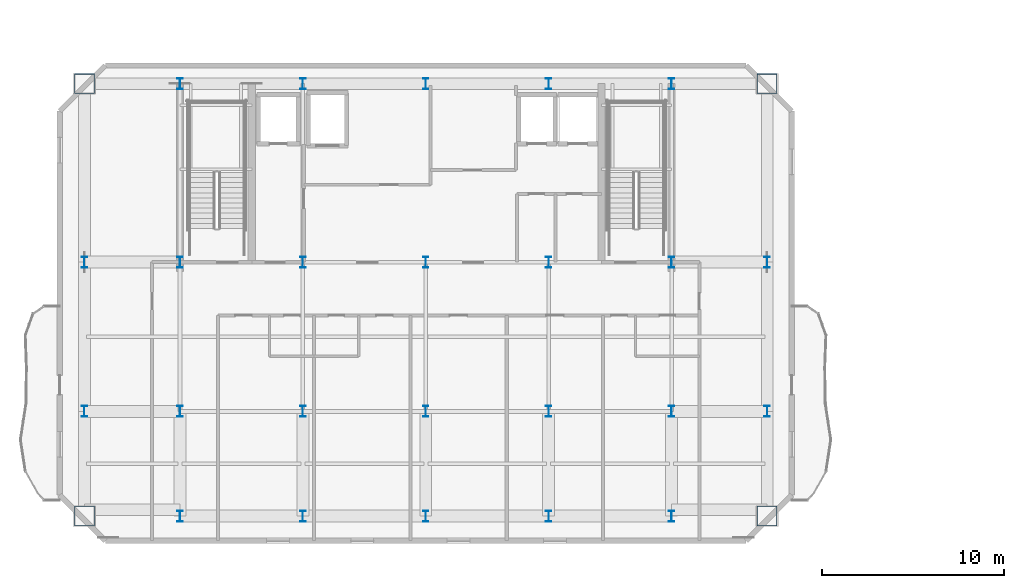
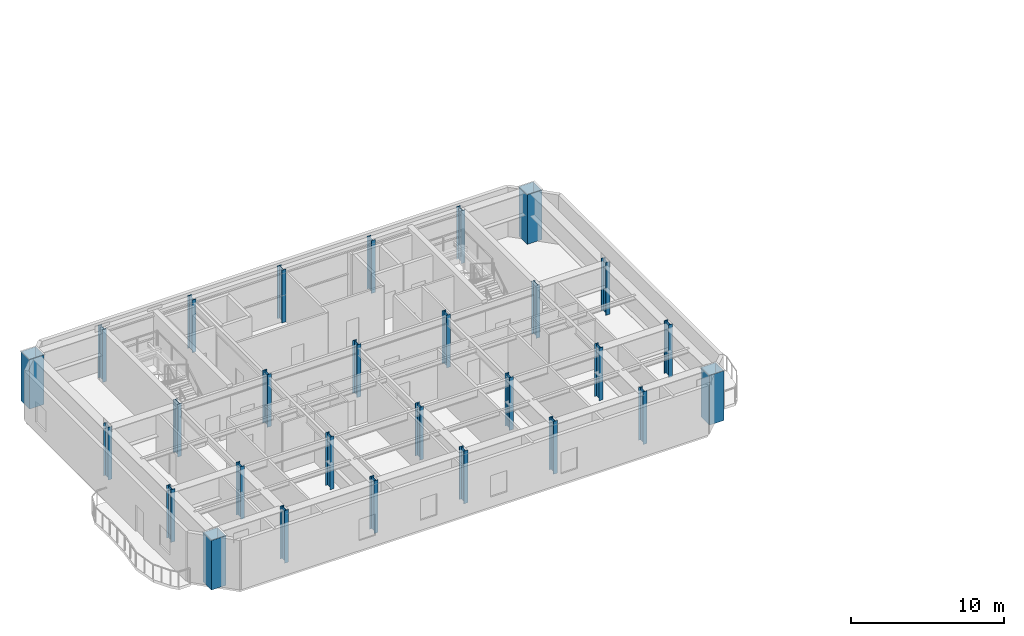
# One storey, part 1 of 16: 28 columns.
"""IFC4 building model written with IfcOpenShell, lengths in metres."""

from ifc_helpers import new_model, si_unit, direction, frame, origin, origin_2d, place, context, subcontext, project, spatial, hollow_rectangle, i_section, extrude, material, material_profile, profile_set, type_object, element, save


model = new_model("IFC4")

# Units and contexts
model_context = context("Model", 3, precision=1e-05, world=origin(), true_north=direction((0.0, 1.0)))
body_context = subcontext(model_context, "Body", "Model", "MODEL_VIEW")
ifc_project = project(units=[si_unit("LENGTHUNIT", "METRE"), si_unit("AREAUNIT", "SQUARE_METRE"), si_unit("VOLUMEUNIT", "CUBIC_METRE"), si_unit("PLANEANGLEUNIT", "RADIAN"), si_unit("MASSUNIT", "GRAM", prefix="KILO")], contexts=[model_context])

# Site, building, storey
site_placement = place(None, origin())
site = spatial("IfcSite", under=ifc_project, at=site_placement, CompositionType="ELEMENT")
building_placement = place(site_placement, origin())
building = spatial("IfcBuilding", under=site, at=building_placement, Name="Haevon Station Towers", CompositionType="ELEMENT")
storey_placement = place(building_placement, frame((0.0, 0.0, 235.199951171875)))
storey = spatial("IfcBuildingStorey", under=building, at=storey_placement, Name="L65", CompositionType="ELEMENT", Elevation=235.199951171875)

# Columns
ifc_material_1 = material(Name="Steel S460", Category="steel")
ifc_material_profile_1 = material_profile(ifc_material_1, hollow_rectangle(XDim=1.10009765625, YDim=1.10009765625, WallThickness=0.031982421875, at=origin_2d()), Name="BOX-1100x1100x32")
ifc_profile_set_1 = profile_set([ifc_material_profile_1], Name="Steel S460")
column_type_1 = type_object("IfcColumnType", Name="COL-MC5", PredefinedType="COLUMN", material=ifc_profile_set_1)
for number, where, z_axis, x_axis, name in (
    (1, (18.75, 24.25, 0.0), (0.0, 0.0, 1.0), (1.0, 0.0, 0.0), "COL-T1-L65-01-01"),
    (2, (18.75, 48.0, 0.0), (0.0, 0.0, 1.0), (1.0, 0.0, 0.0), "COL-T1-L65-01-04"),
    (3, (56.25, 24.25, 0.0), (0.0, 0.0, 1.0), (1.0, 0.0, 0.0), "COL-T1-L65-07-01"),
    (4, (56.25, 48.0, 0.0), (0.0, 0.0, 1.0), (1.0, 0.0, 0.0), "COL-T1-L65-07-04"),
):
    element("IfcColumn", number, at=place(storey_placement, frame(where, z_axis=z_axis, x_axis=x_axis)), inside=storey, type_object=column_type_1, Name=name, PredefinedType="COLUMN", context=body_context, shape_type="SweptSolid", body=[
        extrude(hollow_rectangle(XDim=1.10009765625, YDim=1.10009765625, WallThickness=0.031982421875, at=origin_2d()), origin(), (0.0, 0.0, 1.0), 3.949951171875),
    ])
ifc_material_2 = material(Name="Steel S355", Category="steel")
ifc_material_profile_2 = material_profile(ifc_material_2, i_section(OverallWidth=0.300048828125, OverallDepth=0.60009765625, WebThickness=0.013916015625, FlangeThickness=0.02490234375, at=origin_2d()), Name="H-600x300x14x25")
ifc_profile_set_2 = profile_set([ifc_material_profile_2], Name="Steel S355")
column_type_2 = type_object("IfcColumnType", Name="COL-TW4", PredefinedType="COLUMN", material=ifc_profile_set_2)
for number, where, z_axis, x_axis, name in (
    (5, (18.75, 30.0, 0.0), (0.0, 0.0, 1.0), (1.0, 0.0, 0.0), "COL-T1-L65-01-02"),
    (6, (18.75, 38.199951171875, 0.0), (0.0, 0.0, 1.0), (1.0, 0.0, 0.0), "COL-T1-L65-01-03"),
    (7, (24.0, 24.25, 0.0), (0.0, 0.0, 1.0), (1.0, 0.0, 0.0), "COL-T1-L65-02-01"),
    (8, (24.0, 30.0, 0.0), (0.0, 0.0, 1.0), (1.0, 0.0, 0.0), "COL-T1-L65-02-02"),
    (9, (24.0, 38.199951171875, 0.0), (0.0, 0.0, 1.0), (1.0, 0.0, 0.0), "COL-T1-L65-02-03"),
    (10, (24.0, 48.0, 0.0), (0.0, 0.0, 1.0), (1.0, 0.0, 0.0), "COL-T1-L65-02-04"),
    (11, (30.75, 24.25, 0.0), (0.0, 0.0, 1.0), (1.0, 0.0, 0.0), "COL-T1-L65-03-01"),
    (12, (30.75, 30.0, 0.0), (0.0, 0.0, 1.0), (1.0, 0.0, 0.0), "COL-T1-L65-03-02"),
    (13, (30.75, 38.199951171875, 0.0), (0.0, 0.0, 1.0), (1.0, 0.0, 0.0), "COL-T1-L65-03-03"),
    (14, (30.75, 48.0, 0.0), (0.0, 0.0, 1.0), (1.0, 0.0, 0.0), "COL-T1-L65-03-04"),
    (15, (37.5, 24.25, 0.0), (0.0, 0.0, 1.0), (1.0, 0.0, 0.0), "COL-T1-L65-04-01"),
    (16, (37.5, 30.0, 0.0), (0.0, 0.0, 1.0), (1.0, 0.0, 0.0), "COL-T1-L65-04-02"),
    (17, (37.5, 38.199951171875, 0.0), (0.0, 0.0, 1.0), (1.0, 0.0, 0.0), "COL-T1-L65-04-03"),
    (18, (37.5, 48.0, 0.0), (0.0, 0.0, 1.0), (1.0, 0.0, 0.0), "COL-T1-L65-04-04"),
    (19, (44.25, 24.25, 0.0), (0.0, 0.0, 1.0), (1.0, 0.0, 0.0), "COL-T1-L65-05-01"),
    (20, (44.25, 30.0, 0.0), (0.0, 0.0, 1.0), (1.0, 0.0, 0.0), "COL-T1-L65-05-02"),
    (21, (44.25, 38.199951171875, 0.0), (0.0, 0.0, 1.0), (1.0, 0.0, 0.0), "COL-T1-L65-05-03"),
    (22, (44.25, 48.0, 0.0), (0.0, 0.0, 1.0), (1.0, 0.0, 0.0), "COL-T1-L65-05-04"),
    (23, (51.0, 24.25, 0.0), (0.0, 0.0, 1.0), (1.0, 0.0, 0.0), "COL-T1-L65-06-01"),
    (24, (51.0, 30.0, 0.0), (0.0, 0.0, 1.0), (1.0, 0.0, 0.0), "COL-T1-L65-06-02"),
    (25, (51.0, 38.199951171875, 0.0), (0.0, 0.0, 1.0), (1.0, 0.0, 0.0), "COL-T1-L65-06-03"),
    (26, (51.0, 48.0, 0.0), (0.0, 0.0, 1.0), (1.0, 0.0, 0.0), "COL-T1-L65-06-04"),
    (27, (56.25, 30.0, 0.0), (0.0, 0.0, 1.0), (1.0, 0.0, 0.0), "COL-T1-L65-07-02"),
    (28, (56.25, 38.199951171875, 0.0), (0.0, 0.0, 1.0), (1.0, 0.0, 0.0), "COL-T1-L65-07-03"),
):
    element("IfcColumn", number, at=place(storey_placement, frame(where, z_axis=z_axis, x_axis=x_axis)), inside=storey, type_object=column_type_2, Name=name, PredefinedType="COLUMN", context=body_context, shape_type="SweptSolid", body=[
        extrude(i_section(OverallWidth=0.300048828125, OverallDepth=0.60009765625, WebThickness=0.013916015625, FlangeThickness=0.02490234375, at=origin_2d()), origin(), (0.0, 0.0, 1.0), 4.199951171875),
    ])

save(model, "model.ifc")
